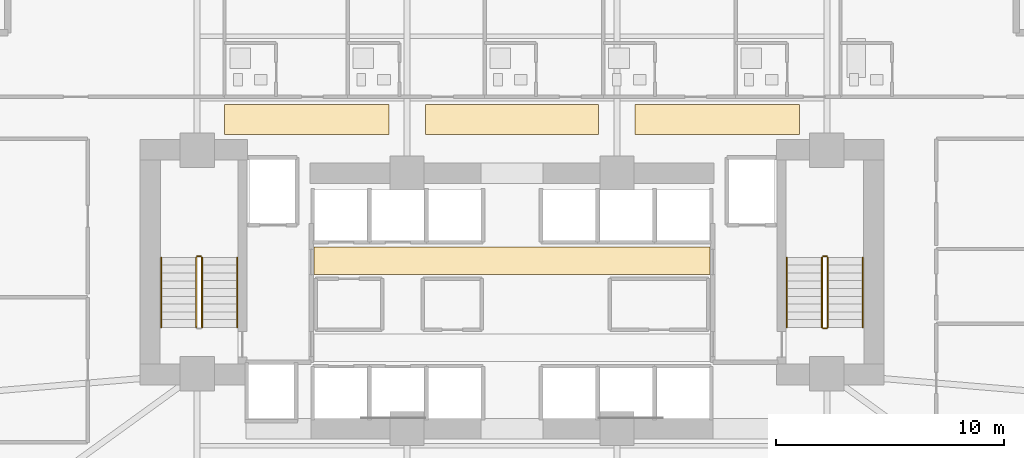
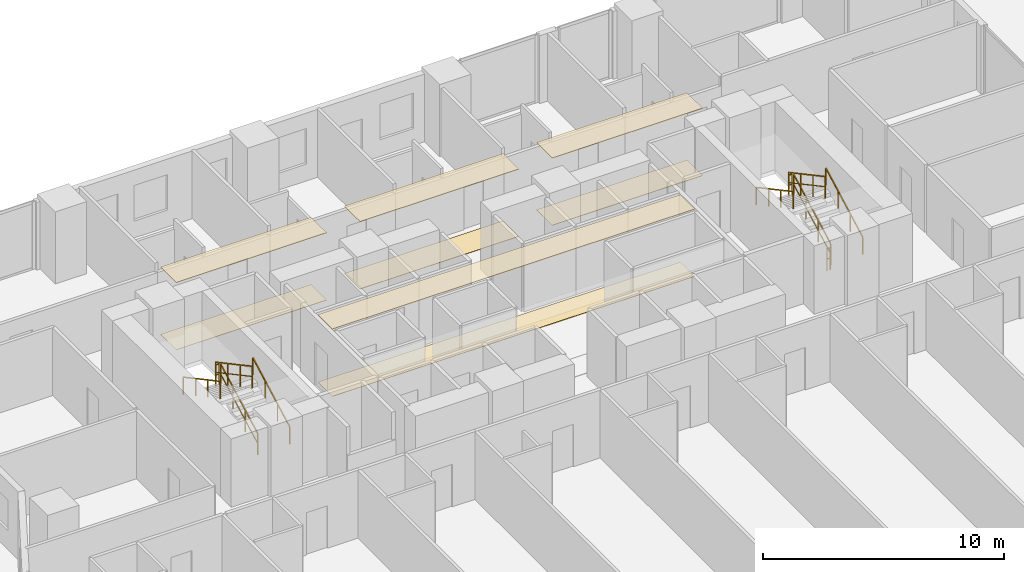
# One storey, part 28 of 30: 11 railings, 8 coverings.
"""IFC4 building model written with IfcOpenShell, lengths in metres."""

from ifc_helpers import new_model, si_unit, direction, frame, origin, origin_2d, place, context, subcontext, project, spatial, polyline, rectangle, outline, extrude, material, layer, layer_set, type_object, element, save


model = new_model("IFC4")

# Units and contexts
model_context = context("Model", 3, precision=1e-05, world=origin(), true_north=direction((0.0, 1.0)))
body_context = subcontext(model_context, "Body", "Model", "MODEL_VIEW")
ifc_project = project(units=[si_unit("LENGTHUNIT", "METRE"), si_unit("AREAUNIT", "SQUARE_METRE"), si_unit("VOLUMEUNIT", "CUBIC_METRE"), si_unit("PLANEANGLEUNIT", "RADIAN"), si_unit("MASSUNIT", "GRAM", prefix="KILO")], contexts=[model_context])

# Site, building, storey
site_placement = place(None, origin())
site = spatial("IfcSite", under=ifc_project, at=site_placement, CompositionType="ELEMENT")
building_placement = place(site_placement, origin())
building = spatial("IfcBuilding", under=site, at=building_placement, Name="Zuhayl Quay Hotel", CompositionType="ELEMENT")
storey_placement = place(building_placement, frame((0.0, 0.0, 27.60009765625)))
storey = spatial("IfcBuildingStorey", under=building, at=storey_placement, Name="L05", CompositionType="ELEMENT", Elevation=27.60009765625)

# Coverings
ifc_material_1 = material(Name="Acoustic Mineral-Fibre Gypsum Board")
ifc_layer_1 = layer(ifc_material_1, 0.02490234375, Name="Acoustic Mineral-Fibre Gypsum Board")
ifc_layer_set_1 = layer_set([ifc_layer_1], Name="Acoustic Mineral-Fibre Gypsum Board")
covering_type_1 = type_object("IfcCoveringType", Name="CV_CEIL_ACOUSTIC", PredefinedType="CEILING", material=ifc_layer_set_1)
covering_1_placement = place(storey_placement, frame((0.0, 0.0, 3.40478515625)))
element("IfcCovering", 1, at=covering_1_placement, inside=storey, type_object=covering_type_1, Name="L05 Suspended Acoustic Lobby Ceiling N", PredefinedType="CEILING", context=body_context, shape_type="SweptSolid", body=[
    extrude(outline(polyline([(-8.679931640625, 8.89990234375), (8.679931640625, 8.89990234375), (8.679931640625, 10.10009765625), (-8.679931640625, 10.10009765625), (-8.679931640625, 8.89990234375)])), origin(), (0.0, 0.0, 1.0), 0.025146484375),
])
covering_2_placement = place(storey_placement, frame((0.0, 0.0, 3.40478515625)))
element("IfcCovering", 2, at=covering_2_placement, inside=storey, type_object=covering_type_1, Name="L05 Guest Corridor Acoustic Ceiling CW", PredefinedType="CEILING", context=body_context, shape_type="SweptSolid", body=[
    extrude(outline(polyline([(-12.60009765625, 15.050048828125), (-5.39990234375, 15.050048828125), (-5.39990234375, 16.35009765625), (-12.60009765625, 16.35009765625), (-12.60009765625, 15.050048828125)])), origin(), (0.0, 0.0, 1.0), 0.025146484375),
])
covering_3_placement = place(storey_placement, frame((0.0, 0.0, 3.40478515625)))
element("IfcCovering", 3, at=covering_3_placement, inside=storey, type_object=covering_type_1, Name="L05 Guest Corridor Acoustic Ceiling CC", PredefinedType="CEILING", context=body_context, shape_type="SweptSolid", body=[
    extrude(outline(polyline([(-3.800048828125, 15.050048828125), (3.800048828125, 15.050048828125), (3.800048828125, 16.35009765625), (-3.800048828125, 16.35009765625), (-3.800048828125, 15.050048828125)])), origin(), (0.0, 0.0, 1.0), 0.025146484375),
])
covering_4_placement = place(storey_placement, frame((0.0, 0.0, 3.40478515625)))
element("IfcCovering", 4, at=covering_4_placement, inside=storey, type_object=covering_type_1, Name="L05 Guest Corridor Acoustic Ceiling CE", PredefinedType="CEILING", context=body_context, shape_type="SweptSolid", body=[
    extrude(outline(polyline([(5.39990234375, 15.050048828125), (12.60009765625, 15.050048828125), (12.60009765625, 16.35009765625), (5.39990234375, 16.35009765625), (5.39990234375, 15.050048828125)])), origin(), (0.0, 0.0, 1.0), 0.025146484375),
])
ifc_material_2 = material(Name="Polished Limestone Terrazzo", Category="masonry")
ifc_layer_2 = layer(ifc_material_2, 0.02001953125, Name="Polished Limestone Terrazzo", Category="masonry")
ifc_layer_set_2 = layer_set([ifc_layer_2], Name="Polished Limestone Terrazzo")
covering_type_2 = type_object("IfcCoveringType", Name="CV_FLOOR_TERRAZZO", PredefinedType="FLOORING", material=ifc_layer_set_2)
covering_5_placement = place(storey_placement, origin())
element("IfcCovering", 5, at=covering_5_placement, inside=storey, type_object=covering_type_2, Name="L05 Honed Limestone Terrazzo Lobby Flooring N", PredefinedType="FLOORING", context=body_context, shape_type="SweptSolid", body=[
    extrude(outline(polyline([(-8.679931640625, 8.89990234375), (8.679931640625, 8.89990234375), (8.679931640625, 10.10009765625), (-8.679931640625, 10.10009765625), (-8.679931640625, 8.89990234375)])), origin(), (0.0, 0.0, 1.0), 0.02001953125),
])
covering_6_placement = place(storey_placement, origin())
element("IfcCovering", 6, at=covering_6_placement, inside=storey, type_object=covering_type_2, Name="L05 Guest Corridor Terrazzo Runner CW", PredefinedType="FLOORING", context=body_context, shape_type="SweptSolid", body=[
    extrude(outline(polyline([(-12.60009765625, 15.050048828125), (-5.39990234375, 15.050048828125), (-5.39990234375, 16.35009765625), (-12.60009765625, 16.35009765625), (-12.60009765625, 15.050048828125)])), origin(), (0.0, 0.0, 1.0), 0.02001953125),
])
covering_7_placement = place(storey_placement, origin())
element("IfcCovering", 7, at=covering_7_placement, inside=storey, type_object=covering_type_2, Name="L05 Guest Corridor Terrazzo Runner CC", PredefinedType="FLOORING", context=body_context, shape_type="SweptSolid", body=[
    extrude(outline(polyline([(-3.800048828125, 15.050048828125), (3.800048828125, 15.050048828125), (3.800048828125, 16.35009765625), (-3.800048828125, 16.35009765625), (-3.800048828125, 15.050048828125)])), origin(), (0.0, 0.0, 1.0), 0.02001953125),
])
covering_8_placement = place(storey_placement, origin())
element("IfcCovering", 8, at=covering_8_placement, inside=storey, type_object=covering_type_2, Name="L05 Guest Corridor Terrazzo Runner CE", PredefinedType="FLOORING", context=body_context, shape_type="SweptSolid", body=[
    extrude(outline(polyline([(5.39990234375, 15.050048828125), (12.60009765625, 15.050048828125), (12.60009765625, 16.35009765625), (5.39990234375, 16.35009765625), (5.39990234375, 15.050048828125)])), origin(), (0.0, 0.0, 1.0), 0.02001953125),
])

# Railings
ifc_material_3 = material(Name="Steel ASTM A992 Grade 50", Category="steel")
railing_type_1 = type_object("IfcRailingType", Name="RL_GUARD_1100", PredefinedType="GUARDRAIL", material=ifc_material_3)
railing_1_placement = place(storey_placement, frame((-13.590087890625, 6.590087890625, 0.182373046875)))
element("IfcRailing", 9, at=railing_1_placement, inside=storey, type_object=railing_type_1, Name="L05 ST1 stair guard 1", PredefinedType="GUARDRAIL", context=body_context, shape_type="SweptSolid", body=[
    extrude(rectangle(XDim=0.048095703125, YDim=0.048095703125, at=origin_2d()), frame((0.0, 0.0, 1.09619140625), z_axis=(0.0, 0.88107310026, 0.472980117973), x_axis=(-1.0, 0.0, 0.0)), (0.0, 0.0, 1.0), 3.472900390625),
    extrude(rectangle(XDim=0.0361328125, YDim=0.0361328125, at=origin_2d()), frame((0.0, 0.0, 0.58251953125), z_axis=(0.0, 0.88107310026, 0.472980117973), x_axis=(-1.0, 0.0, 0.0)), (0.0, 0.0, 1.0), 3.472900390625),
    extrude(rectangle(XDim=0.0419921875, YDim=0.0419921875, at=origin_2d()), origin(), (0.0, 0.0, 1.0), 1.072021484375),
    extrude(rectangle(XDim=0.0419921875, YDim=0.0419921875, at=origin_2d()), frame((0.0, 1.02001953125, 0.547607421875)), (0.0, 0.0, 1.0), 1.072021484375),
    extrude(rectangle(XDim=0.0419921875, YDim=0.0419921875, at=origin_2d()), frame((0.0, 2.039794921875, 1.094970703125)), (0.0, 0.0, 1.0), 1.072021484375),
    extrude(rectangle(XDim=0.0419921875, YDim=0.0419921875, at=origin_2d()), frame((0.0, 3.059814453125, 1.642578125)), (0.0, 0.0, 1.0), 1.072021484375),
])
railing_2_placement = place(storey_placement, frame((-13.639892578125, 9.699951171875, 1.824951171875)))
element("IfcRailing", 10, at=railing_2_placement, inside=storey, type_object=railing_type_1, Name="L05 ST1 stair guard 2", PredefinedType="GUARDRAIL", context=body_context, shape_type="SweptSolid", body=[
    extrude(rectangle(XDim=0.048095703125, YDim=0.048095703125, at=origin_2d()), frame((0.0, 0.0, 1.09619140625), z_axis=(-1.0, 0.0, 0.0), x_axis=(0.0, -1.0, 0.0)), (0.0, 0.0, 1.0), 0.150146484375),
    extrude(rectangle(XDim=0.0361328125, YDim=0.0361328125, at=origin_2d()), frame((0.0, 0.0, 0.58251953125), z_axis=(-1.0, 0.0, 0.0), x_axis=(0.0, -1.0, 0.0)), (0.0, 0.0, 1.0), 0.150146484375),
    extrude(rectangle(XDim=0.0419921875, YDim=0.0419921875, at=origin_2d()), origin(), (0.0, 0.0, 1.0), 1.072021484375),
    extrude(rectangle(XDim=0.0419921875, YDim=0.0419921875, at=origin_2d()), frame((-0.150146484375, 0.0, 0.0)), (0.0, 0.0, 1.0), 1.072021484375),
])
railing_3_placement = place(storey_placement, frame((-13.840087890625, 9.64990234375, 2.00732421875)))
element("IfcRailing", 11, at=railing_3_placement, inside=storey, type_object=railing_type_1, Name="L05 ST1 stair guard 3", PredefinedType="GUARDRAIL", context=body_context, shape_type="SweptSolid", body=[
    extrude(rectangle(XDim=0.048095703125, YDim=0.048095703125, at=origin_2d()), frame((0.0, 0.0, 1.09619140625), z_axis=(0.0, -0.88107310026, 0.472980117973), x_axis=(1.0, 0.0, 0.0)), (0.0, 0.0, 1.0), 3.472900390625),
    extrude(rectangle(XDim=0.0361328125, YDim=0.0361328125, at=origin_2d()), frame((0.0, 0.0, 0.58251953125), z_axis=(0.0, -0.88107310026, 0.472980117973), x_axis=(1.0, 0.0, 0.0)), (0.0, 0.0, 1.0), 3.472900390625),
    extrude(rectangle(XDim=0.0419921875, YDim=0.0419921875, at=origin_2d()), origin(), (0.0, 0.0, 1.0), 1.072021484375),
    extrude(rectangle(XDim=0.0419921875, YDim=0.0419921875, at=origin_2d()), frame((0.0, -1.02001953125, 0.547607421875)), (0.0, 0.0, 1.0), 1.072021484375),
    extrude(rectangle(XDim=0.0419921875, YDim=0.0419921875, at=origin_2d()), frame((0.0, -2.039794921875, 1.094970703125)), (0.0, 0.0, 1.0), 1.072021484375),
    extrude(rectangle(XDim=0.0419921875, YDim=0.0419921875, at=origin_2d()), frame((0.0, -3.059814453125, 1.642578125)), (0.0, 0.0, 1.0), 1.072021484375),
])
railing_4_placement = place(storey_placement, frame((13.840087890625, 6.590087890625, 0.182373046875)))
element("IfcRailing", 12, at=railing_4_placement, inside=storey, type_object=railing_type_1, Name="L05 ST2 stair guard 1", PredefinedType="GUARDRAIL", context=body_context, shape_type="SweptSolid", body=[
    extrude(rectangle(XDim=0.048095703125, YDim=0.048095703125, at=origin_2d()), frame((0.0, 0.0, 1.09619140625), z_axis=(0.0, 0.88107310026, 0.472980117973), x_axis=(-1.0, 0.0, 0.0)), (0.0, 0.0, 1.0), 3.472900390625),
    extrude(rectangle(XDim=0.0361328125, YDim=0.0361328125, at=origin_2d()), frame((0.0, 0.0, 0.58251953125), z_axis=(0.0, 0.88107310026, 0.472980117973), x_axis=(-1.0, 0.0, 0.0)), (0.0, 0.0, 1.0), 3.472900390625),
    extrude(rectangle(XDim=0.0419921875, YDim=0.0419921875, at=origin_2d()), origin(), (0.0, 0.0, 1.0), 1.072021484375),
    extrude(rectangle(XDim=0.0419921875, YDim=0.0419921875, at=origin_2d()), frame((0.0, 1.02001953125, 0.547607421875)), (0.0, 0.0, 1.0), 1.072021484375),
    extrude(rectangle(XDim=0.0419921875, YDim=0.0419921875, at=origin_2d()), frame((0.0, 2.039794921875, 1.094970703125)), (0.0, 0.0, 1.0), 1.072021484375),
    extrude(rectangle(XDim=0.0419921875, YDim=0.0419921875, at=origin_2d()), frame((0.0, 3.059814453125, 1.642578125)), (0.0, 0.0, 1.0), 1.072021484375),
])
railing_5_placement = place(storey_placement, frame((13.7900390625, 9.699951171875, 1.824951171875)))
element("IfcRailing", 13, at=railing_5_placement, inside=storey, type_object=railing_type_1, Name="L05 ST2 stair guard 2", PredefinedType="GUARDRAIL", context=body_context, shape_type="SweptSolid", body=[
    extrude(rectangle(XDim=0.048095703125, YDim=0.048095703125, at=origin_2d()), frame((0.0, 0.0, 1.09619140625), z_axis=(-1.0, 0.0, 0.0), x_axis=(0.0, -1.0, 0.0)), (0.0, 0.0, 1.0), 0.150146484375),
    extrude(rectangle(XDim=0.0361328125, YDim=0.0361328125, at=origin_2d()), frame((0.0, 0.0, 0.58251953125), z_axis=(-1.0, 0.0, 0.0), x_axis=(0.0, -1.0, 0.0)), (0.0, 0.0, 1.0), 0.150146484375),
    extrude(rectangle(XDim=0.0419921875, YDim=0.0419921875, at=origin_2d()), origin(), (0.0, 0.0, 1.0), 1.072021484375),
    extrude(rectangle(XDim=0.0419921875, YDim=0.0419921875, at=origin_2d()), frame((-0.150146484375, 0.0, 0.0)), (0.0, 0.0, 1.0), 1.072021484375),
])
railing_6_placement = place(storey_placement, frame((13.590087890625, 9.64990234375, 2.00732421875)))
element("IfcRailing", 14, at=railing_6_placement, inside=storey, type_object=railing_type_1, Name="L05 ST2 stair guard 3", PredefinedType="GUARDRAIL", context=body_context, shape_type="SweptSolid", body=[
    extrude(rectangle(XDim=0.048095703125, YDim=0.048095703125, at=origin_2d()), frame((0.0, 0.0, 1.09619140625), z_axis=(0.0, -0.88107310026, 0.472980117973), x_axis=(1.0, 0.0, 0.0)), (0.0, 0.0, 1.0), 3.472900390625),
    extrude(rectangle(XDim=0.0361328125, YDim=0.0361328125, at=origin_2d()), frame((0.0, 0.0, 0.58251953125), z_axis=(0.0, -0.88107310026, 0.472980117973), x_axis=(1.0, 0.0, 0.0)), (0.0, 0.0, 1.0), 3.472900390625),
    extrude(rectangle(XDim=0.0419921875, YDim=0.0419921875, at=origin_2d()), origin(), (0.0, 0.0, 1.0), 1.072021484375),
    extrude(rectangle(XDim=0.0419921875, YDim=0.0419921875, at=origin_2d()), frame((0.0, -1.02001953125, 0.547607421875)), (0.0, 0.0, 1.0), 1.072021484375),
    extrude(rectangle(XDim=0.0419921875, YDim=0.0419921875, at=origin_2d()), frame((0.0, -2.039794921875, 1.094970703125)), (0.0, 0.0, 1.0), 1.072021484375),
    extrude(rectangle(XDim=0.0419921875, YDim=0.0419921875, at=origin_2d()), frame((0.0, -3.059814453125, 1.642578125)), (0.0, 0.0, 1.0), 1.072021484375),
])
railing_7_placement = place(storey_placement, frame((13.7900390625, 6.5400390625, 0.0)))
element("IfcRailing", 15, at=railing_7_placement, inside=storey, type_object=railing_type_1, Name="L05 ST2 stair guard 4", PredefinedType="GUARDRAIL", context=body_context, shape_type="SweptSolid", body=[
    extrude(rectangle(XDim=0.048095703125, YDim=0.048095703125, at=origin_2d()), frame((0.0, 0.0, 1.09619140625), z_axis=(-1.0, 0.0, 0.0), x_axis=(0.0, -1.0, 0.0)), (0.0, 0.0, 1.0), 0.150146484375),
    extrude(rectangle(XDim=0.0361328125, YDim=0.0361328125, at=origin_2d()), frame((0.0, 0.0, 0.58251953125), z_axis=(-1.0, 0.0, 0.0), x_axis=(0.0, -1.0, 0.0)), (0.0, 0.0, 1.0), 0.150146484375),
    extrude(rectangle(XDim=0.0419921875, YDim=0.0419921875, at=origin_2d()), origin(), (0.0, 0.0, 1.0), 1.072021484375),
    extrude(rectangle(XDim=0.0419921875, YDim=0.0419921875, at=origin_2d()), frame((-0.150146484375, 0.0, 0.0)), (0.0, 0.0, 1.0), 1.072021484375),
])
railing_type_2 = type_object("IfcRailingType", Name="RL_HANDRAIL_920", PredefinedType="HANDRAIL", material=ifc_material_3)
railing_8_placement = place(storey_placement, frame((-12.050048828125, 6.590087890625, 0.182373046875)))
element("IfcRailing", 16, at=railing_8_placement, inside=storey, type_object=railing_type_2, Name="L05 ST1 stair handrail 1", PredefinedType="HANDRAIL", context=body_context, shape_type="SweptSolid", body=[
    extrude(rectangle(XDim=0.048095703125, YDim=0.048095703125, at=origin_2d()), frame((0.0, 0.0, 0.8759765625), z_axis=(0.0, 0.88107310026, 0.472980117973), x_axis=(-1.0, 0.0, 0.0)), (0.0, 0.0, 1.0), 3.472900390625),
    extrude(rectangle(XDim=0.0419921875, YDim=0.0419921875, at=origin_2d()), origin(), (0.0, 0.0, 1.0), 0.851806640625),
    extrude(rectangle(XDim=0.0419921875, YDim=0.0419921875, at=origin_2d()), frame((0.0, 1.02001953125, 0.547607421875)), (0.0, 0.0, 1.0), 0.851806640625),
    extrude(rectangle(XDim=0.0419921875, YDim=0.0419921875, at=origin_2d()), frame((0.0, 2.039794921875, 1.094970703125)), (0.0, 0.0, 1.0), 0.851806640625),
    extrude(rectangle(XDim=0.0419921875, YDim=0.0419921875, at=origin_2d()), frame((0.0, 3.059814453125, 1.642578125)), (0.0, 0.0, 1.0), 0.851806640625),
])
railing_9_placement = place(storey_placement, frame((-15.3798828125, 9.64990234375, 2.00732421875)))
element("IfcRailing", 17, at=railing_9_placement, inside=storey, type_object=railing_type_2, Name="L05 ST1 stair handrail 2", PredefinedType="HANDRAIL", context=body_context, shape_type="SweptSolid", body=[
    extrude(rectangle(XDim=0.048095703125, YDim=0.048095703125, at=origin_2d()), frame((0.0, 0.0, 0.8759765625), z_axis=(0.0, -0.88107310026, 0.472980117973), x_axis=(1.0, 0.0, 0.0)), (0.0, 0.0, 1.0), 3.472900390625),
    extrude(rectangle(XDim=0.0419921875, YDim=0.0419921875, at=origin_2d()), origin(), (0.0, 0.0, 1.0), 0.851806640625),
    extrude(rectangle(XDim=0.0419921875, YDim=0.0419921875, at=origin_2d()), frame((0.0, -1.02001953125, 0.547607421875)), (0.0, 0.0, 1.0), 0.851806640625),
    extrude(rectangle(XDim=0.0419921875, YDim=0.0419921875, at=origin_2d()), frame((0.0, -2.039794921875, 1.094970703125)), (0.0, 0.0, 1.0), 0.851806640625),
    extrude(rectangle(XDim=0.0419921875, YDim=0.0419921875, at=origin_2d()), frame((0.0, -3.059814453125, 1.642578125)), (0.0, 0.0, 1.0), 0.851806640625),
])
railing_10_placement = place(storey_placement, frame((15.3798828125, 6.590087890625, 0.182373046875)))
element("IfcRailing", 18, at=railing_10_placement, inside=storey, type_object=railing_type_2, Name="L05 ST2 stair handrail 1", PredefinedType="HANDRAIL", context=body_context, shape_type="SweptSolid", body=[
    extrude(rectangle(XDim=0.048095703125, YDim=0.048095703125, at=origin_2d()), frame((0.0, 0.0, 0.8759765625), z_axis=(0.0, 0.88107310026, 0.472980117973), x_axis=(-1.0, 0.0, 0.0)), (0.0, 0.0, 1.0), 3.472900390625),
    extrude(rectangle(XDim=0.0419921875, YDim=0.0419921875, at=origin_2d()), origin(), (0.0, 0.0, 1.0), 0.851806640625),
    extrude(rectangle(XDim=0.0419921875, YDim=0.0419921875, at=origin_2d()), frame((0.0, 1.02001953125, 0.547607421875)), (0.0, 0.0, 1.0), 0.851806640625),
    extrude(rectangle(XDim=0.0419921875, YDim=0.0419921875, at=origin_2d()), frame((0.0, 2.039794921875, 1.094970703125)), (0.0, 0.0, 1.0), 0.851806640625),
    extrude(rectangle(XDim=0.0419921875, YDim=0.0419921875, at=origin_2d()), frame((0.0, 3.059814453125, 1.642578125)), (0.0, 0.0, 1.0), 0.851806640625),
])
railing_11_placement = place(storey_placement, frame((12.050048828125, 9.64990234375, 2.00732421875)))
element("IfcRailing", 19, at=railing_11_placement, inside=storey, type_object=railing_type_2, Name="L05 ST2 stair handrail 2", PredefinedType="HANDRAIL", context=body_context, shape_type="SweptSolid", body=[
    extrude(rectangle(XDim=0.048095703125, YDim=0.048095703125, at=origin_2d()), frame((0.0, 0.0, 0.8759765625), z_axis=(0.0, -0.88107310026, 0.472980117973), x_axis=(1.0, 0.0, 0.0)), (0.0, 0.0, 1.0), 3.472900390625),
    extrude(rectangle(XDim=0.0419921875, YDim=0.0419921875, at=origin_2d()), origin(), (0.0, 0.0, 1.0), 0.851806640625),
    extrude(rectangle(XDim=0.0419921875, YDim=0.0419921875, at=origin_2d()), frame((0.0, -1.02001953125, 0.547607421875)), (0.0, 0.0, 1.0), 0.851806640625),
    extrude(rectangle(XDim=0.0419921875, YDim=0.0419921875, at=origin_2d()), frame((0.0, -2.039794921875, 1.094970703125)), (0.0, 0.0, 1.0), 0.851806640625),
    extrude(rectangle(XDim=0.0419921875, YDim=0.0419921875, at=origin_2d()), frame((0.0, -3.059814453125, 1.642578125)), (0.0, 0.0, 1.0), 0.851806640625),
])

save(model, "model.ifc")
